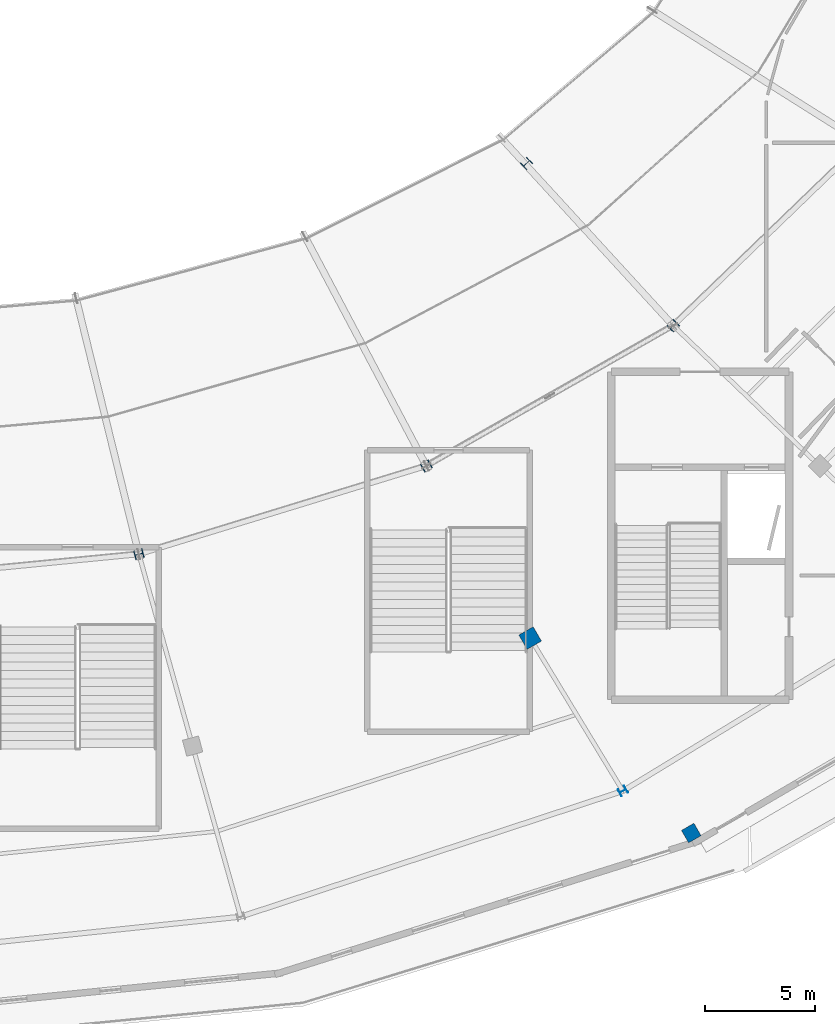
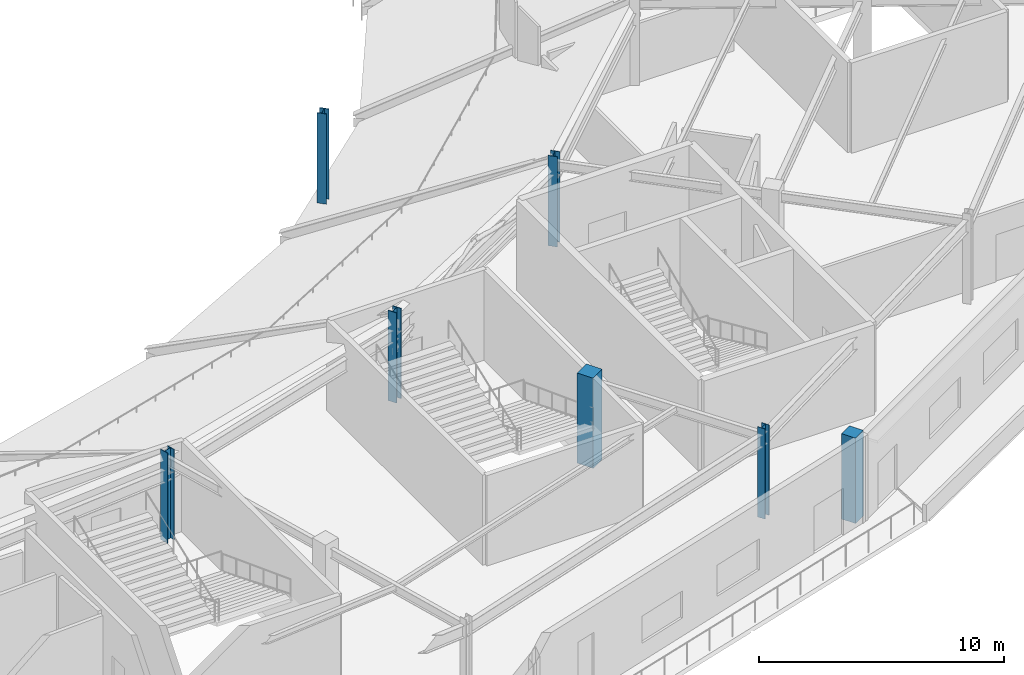
# One storey, part 5 of 63: 7 columns.
"""IFC4 building model written with IfcOpenShell, lengths in metres."""

import ifcopenshell
import ifcopenshell.guid

model = None  # the IFC model being written
_history = None  # IfcOwnerHistory: only IFC2X3 demands one
_inside = {}  # id of a spatial element -> (the spatial element, [elements in it])
_under = {}  # id of a project, library or spatial element -> (it, [spatial elements below it])
_declared = {}  # id of a project -> (the project, [libraries it declares])
_typed = {}  # id of a type object -> (the type object, [elements of that type])
_made_of = {}  # id of a material, layer set ... -> (it, [elements and type objects made of it])


def new_model(schema):
    """Start an empty IFC model of exactly this schema.

    Asked for "IFC4X3", IfcOpenShell would pick the latest addendum, in which some entities
    have other attributes; the version numbers below select the first issue.
    IFC2X3 requires an IfcOwnerHistory on every rooted entity: one is made here for all.
    """
    global model, _history
    if schema == "IFC4X3":
        model = ifcopenshell.file(schema_version=(4, 3, 0, 0))
    else:
        model = ifcopenshell.file(schema=schema)
    _inside.clear()
    _under.clear()
    _declared.clear()
    _typed.clear()
    _made_of.clear()
    _history = None
    if model.schema == "IFC2X3":
        org = make("IfcOrganization", Name="unknown")
        user = make(
            "IfcPersonAndOrganization",
            ThePerson=make("IfcPerson", FamilyName="unknown"),
            TheOrganization=org,
        )
        app = make(
            "IfcApplication",
            ApplicationDeveloper=org,
            Version="unknown",
            ApplicationFullName="unknown",
            ApplicationIdentifier="unknown",
        )
        _history = make(
            "IfcOwnerHistory",
            OwningUser=user,
            OwningApplication=app,
            ChangeAction="ADDED",
            CreationDate=0,
        )
    return model


def make(cls, **values):
    """One entity of the class cls with the attributes given. An attribute that is None is left unset."""
    return model.create_entity(
        cls, **{name: value for name, value in values.items() if value is not None}
    )


def rooted(cls, **values):
    """An entity with a GlobalId (a new one), such as an element, a storey or a relation."""
    return make(cls, GlobalId=ifcopenshell.guid.new(), OwnerHistory=_history, **values)


def si_unit(unit_type, name, prefix=None):
    """IfcSIUnit, for example si_unit("LENGTHUNIT", "METRE", prefix="MILLI")."""
    return make("IfcSIUnit", UnitType=unit_type, Prefix=prefix, Name=name)


def assignment(units):
    """IfcUnitAssignment: the units of a project."""
    return None if units is None else make("IfcUnitAssignment", Units=units)


def point(xyz):
    """IfcCartesianPoint."""
    return None if xyz is None else make("IfcCartesianPoint", Coordinates=xyz)


def direction(xyz):
    """IfcDirection."""
    return None if xyz is None else make("IfcDirection", DirectionRatios=xyz)


def frame(location, z_axis=None, x_axis=None):
    """IfcAxis2Placement3D, a coordinate frame: its origin and axes. An axis left out is left unset."""
    return make(
        "IfcAxis2Placement3D",
        Location=point(location),
        Axis=direction(z_axis),
        RefDirection=direction(x_axis),
    )


def frame_2d(location, x_axis=None):
    """IfcAxis2Placement2D, a coordinate frame in the plane: its origin and x axis."""
    return make(
        "IfcAxis2Placement2D", Location=point(location), RefDirection=direction(x_axis)
    )


def origin():
    """The frame at (0, 0, 0) with its axes left unset."""
    return frame((0.0, 0.0, 0.0))


def origin_2d():
    """The frame at (0, 0) in the plane with its x axis left unset."""
    return frame_2d((0.0, 0.0))


def place(relative_to, where):
    """IfcLocalPlacement: puts the frame where relative to a parent placement (None: the world)."""
    return make(
        "IfcLocalPlacement", PlacementRelTo=relative_to, RelativePlacement=where
    )


def context(
    kind, dimensions, precision=None, world=None, true_north=None, identifier=None
):
    """IfcGeometricRepresentationContext, for example the 3D "Model" context."""
    return make(
        "IfcGeometricRepresentationContext",
        ContextIdentifier=identifier,
        ContextType=kind,
        CoordinateSpaceDimension=dimensions,
        Precision=precision,
        WorldCoordinateSystem=world,
        TrueNorth=true_north,
    )


def subcontext(parent, identifier, kind, view, scale=None):
    """IfcGeometricRepresentationSubContext, for example "Body" below "Model"."""
    return make(
        "IfcGeometricRepresentationSubContext",
        ContextIdentifier=identifier,
        ContextType=kind,
        ParentContext=parent,
        TargetScale=scale,
        TargetView=view,
    )


def project(units=None, contexts=None):
    """IfcProject with its units and contexts."""
    return rooted(
        "IfcProject",
        Name="project",
        RepresentationContexts=contexts,
        UnitsInContext=assignment(units),
    )


def spatial(cls, under=None, at=None, **own):
    """A site, building, storey or space (cls), placed at a placement, below another one or the project."""
    s = rooted(cls, ObjectPlacement=at, **own)
    if under is not None:
        _under.setdefault(under.id(), (under, []))[1].append(s)
    return s


def profile(cls, at=None, kind="AREA", **sizes):
    """A parametric profile (cls). Its sizes go by their IFC names, for example OverallWidth=200.0."""
    return make(cls, ProfileType=kind, Position=at, **sizes)


def rectangle(**sizes):
    """IfcRectangleProfileDef."""
    return profile("IfcRectangleProfileDef", **sizes)


def i_section(**sizes):
    """IfcIShapeProfileDef."""
    return profile("IfcIShapeProfileDef", **sizes)


def extrude(swept, where, along, depth):
    """IfcExtrudedAreaSolid: the profile swept, set in the frame where, extruded along a direction by depth."""
    return make(
        "IfcExtrudedAreaSolid",
        SweptArea=swept,
        Position=where,
        ExtrudedDirection=direction(along),
        Depth=depth,
    )


def shape(context_of_items, identifier, shape_type, items):
    """IfcShapeRepresentation: the items that make up one representation, for example the "Body"."""
    return make(
        "IfcShapeRepresentation",
        ContextOfItems=context_of_items,
        RepresentationIdentifier=identifier,
        RepresentationType=shape_type,
        Items=items,
    )


def material(Name=None, Category=None):
    """IfcMaterial."""
    return make("IfcMaterial", Name=Name, Category=Category)


def material_profile(
    of_material, cross_section, Name=None, Category=None, Priority=None
):
    """IfcMaterialProfile: a cross section and its material."""
    return make(
        "IfcMaterialProfile",
        Name=Name,
        Material=of_material,
        Profile=cross_section,
        Priority=Priority,
        Category=Category,
    )


def profile_set(profiles, Name=None, composite=None):
    """IfcMaterialProfileSet."""
    return make(
        "IfcMaterialProfileSet",
        Name=Name,
        MaterialProfiles=profiles,
        CompositeProfile=composite,
    )


def made_of(thing, what):
    """Note that an element or type object is made of a material, layer set ...; save() writes the relation."""
    if what is not None:
        _made_of.setdefault(what.id(), (what, []))[1].append(thing)
    return thing


def type_object(cls, material=None, **own):
    """A type object (cls), such as IfcWallType, which elements share."""
    return made_of(rooted(cls, **own), material)


def element(
    cls,
    number,
    at=None,
    inside=None,
    cuts=None,
    type_object=None,
    material=None,
    context=None,
    identifier="Body",
    shape_type=None,
    held_by="IfcProductDefinitionShape",
    body=None,
    shapes=None,
    **own,
):
    """One element of the class cls, such as IfcWall. Its Tag is "e" and its number.

    at: its placement. inside: the storey or other place that contains it. cuts: it is an
    opening in that element (IfcRelVoidsElement). A single representation is given by context,
    identifier, shape_type and body (its items); several are given by shapes. held_by: the class
    of the entity that holds the representations. save() writes the other relations.
    """
    e = rooted(cls, Tag="e%d" % number, ObjectPlacement=at, **own)
    if body is not None:
        shapes = [shape(context, identifier, shape_type, body)]
    if shapes is not None:
        e.Representation = make(held_by, Representations=shapes)
    if inside is not None:
        _inside.setdefault(inside.id(), (inside, []))[1].append(e)
    if cuts is not None:
        rooted(
            "IfcRelVoidsElement", RelatingBuildingElement=cuts, RelatedOpeningElement=e
        )
    if type_object is not None:
        _typed.setdefault(type_object.id(), (type_object, []))[1].append(e)
    return made_of(e, material)


def aggregate(whole, parts):
    """IfcRelAggregates: a whole, such as a stair, and the parts it consists of."""
    return rooted("IfcRelAggregates", RelatingObject=whole, RelatedObjects=parts)


def save(model, path):
    """Write the relations noted so far, then the file.

    IfcRelAggregates (storeys below a building ...), IfcRelContainedInSpatialStructure (elements
    in a storey), IfcRelDefinesByType, IfcRelAssociatesMaterial and IfcRelDeclares: one each for
    every whole, place, type object, material and project.
    """
    for whole, parts in _under.values():
        aggregate(whole, parts)
    for where, things in _inside.values():
        rooted(
            "IfcRelContainedInSpatialStructure",
            RelatedElements=things,
            RelatingStructure=where,
        )
    for kind, things in _typed.values():
        rooted("IfcRelDefinesByType", RelatedObjects=things, RelatingType=kind)
    for what, things in _made_of.values():
        rooted("IfcRelAssociatesMaterial", RelatedObjects=things, RelatingMaterial=what)
    for by, libraries in _declared.values():
        rooted("IfcRelDeclares", RelatingContext=by, RelatedDefinitions=libraries)
    model.write(path)


model = new_model("IFC4")

# Units and contexts
model_context = context("Model", 3, precision=1e-05, world=origin(), true_north=direction((0.0, 1.0)))
body_context = subcontext(model_context, "Body", "Model", "MODEL_VIEW")
ifc_project = project(units=[si_unit("LENGTHUNIT", "METRE"), si_unit("AREAUNIT", "SQUARE_METRE"), si_unit("VOLUMEUNIT", "CUBIC_METRE"), si_unit("PLANEANGLEUNIT", "RADIAN"), si_unit("MASSUNIT", "GRAM", prefix="KILO")], contexts=[model_context])

# Site, building, storey
site_placement = place(None, origin())
site = spatial("IfcSite", under=ifc_project, at=site_placement, CompositionType="ELEMENT")
building_placement = place(site_placement, origin())
building = spatial("IfcBuilding", under=site, at=building_placement, Name="Kalgoora Escarpment Arena", CompositionType="ELEMENT")
storey_placement = place(building_placement, frame((0.0, 0.0, 14.39990234375)))
storey = spatial("IfcBuildingStorey", under=building, at=storey_placement, Name="L03", CompositionType="ELEMENT", Elevation=14.39990234375)

# Columns
ifc_material_1 = material(Name="Structural steel Grade 350 (350 MPa)", Category="steel")
ifc_material_profile_1 = material_profile(ifc_material_1, i_section(OverallWidth=0.35009765625, OverallDepth=0.35009765625, WebThickness=0.013916015625, FlangeThickness=0.02392578125, at=origin_2d()))
ifc_profile_set_1 = profile_set([ifc_material_profile_1], Name="Structural steel Grade 350 (350 MPa)")
column_type_1 = type_object("IfcColumnType", Name="COL-COL-350WC197", PredefinedType="COLUMN", material=ifc_profile_set_1)
column_1_placement = place(storey_placement, frame((128.300048828125, 14.63671875, 0.0), z_axis=(0.0, 0.0, 1.0), x_axis=(0.5, -0.866025403784, 0.0)))
element("IfcColumn", 1, at=column_1_placement, inside=storey, type_object=column_type_1, Name="L03 structural column COL-RCONC2-R21", PredefinedType="COLUMN", context=body_context, shape_type="SweptSolid", body=[
    extrude(i_section(OverallWidth=0.35009765625, OverallDepth=0.35009765625, WebThickness=0.013916015625, FlangeThickness=0.02392578125, at=origin_2d()), origin(), (0.0, 0.0, 1.0), 4.5),
])
ifc_material_2 = material(Name="Structural steel Grade 350 (350 MPa)", Category="steel")
ifc_material_profile_2 = material_profile(ifc_material_2, i_section(OverallWidth=0.39990234375, OverallDepth=0.39990234375, WebThickness=0.01611328125, FlangeThickness=0.028076171875, at=origin_2d()))
ifc_profile_set_2 = profile_set([ifc_material_profile_2], Name="Structural steel Grade 350 (350 MPa)")
column_type_2 = type_object("IfcColumnType", Name="COL-COL-400WC212", PredefinedType="COLUMN", material=ifc_profile_set_2)
for number, where, z_axis, x_axis, name in (
    (2, (106.376220703125, 25.363037109375, 0.0), (0.0, 0.0, 1.0), (0.258819045103, -0.965925826289, 0.0), "L03 structural column COL-RMAIN-R20"),
    (3, (119.39990234375, 29.35888671875, 0.0), (0.0, 0.0, 1.0), (0.5, -0.866025403784, 0.0), "L03 structural column COL-RMAIN-R21"),
    (4, (130.583740234375, 35.7158203125, 0.0), (0.0, 0.0, 1.0), (0.707106781187, -0.707106781187, 0.0), "L03 structural column COL-RMAIN-R22"),
    (5, (123.93701171875, 43.069580078125, 0.0), (0.0, 0.0, 1.0), (0.707106781187, -0.707106781187, 0.0), "L03 structural column COL-TSPINE-S08"),
):
    element("IfcColumn", number, at=place(storey_placement, frame(where, z_axis=z_axis, x_axis=x_axis)), inside=storey, type_object=column_type_2, Name=name, PredefinedType="COLUMN", context=body_context, shape_type="SweptSolid", body=[
        extrude(i_section(OverallWidth=0.39990234375, OverallDepth=0.39990234375, WebThickness=0.01611328125, FlangeThickness=0.028076171875, at=origin_2d()), origin(), (0.0, 0.0, 1.0), 4.5),
    ])
ifc_material_3 = material(Name="Concrete N50 (fc' 50 MPa)", Category="concrete")
ifc_material_profile_3 = material_profile(ifc_material_3, rectangle(XDim=0.64990234375, YDim=0.64990234375, at=origin_2d()))
ifc_profile_set_3 = profile_set([ifc_material_profile_3], Name="Concrete N50 (fc' 50 MPa)")
column_type_3 = type_object("IfcColumnType", Name="COL-COL-RC650x650", PredefinedType="COLUMN", material=ifc_profile_set_3)
column_2_placement = place(storey_placement, frame((131.39990234375, 12.731201171875, 0.0), z_axis=(0.0, 0.0, 1.0), x_axis=(0.5, -0.866025403784, 0.0)))
element("IfcColumn", 6, at=column_2_placement, inside=storey, type_object=column_type_3, Name="L03 structural column COL-RBASE1-R21", PredefinedType="COLUMN", context=body_context, shape_type="SweptSolid", body=[
    extrude(rectangle(XDim=0.64990234375, YDim=0.64990234375, at=origin_2d()), origin(), (0.0, 0.0, 1.0), 4.260009765625),
])
ifc_material_4 = material(Name="Concrete N50 (fc' 50 MPa)", Category="concrete")
ifc_material_profile_4 = material_profile(ifc_material_4, rectangle(XDim=0.75, YDim=0.75, at=origin_2d()))
ifc_profile_set_4 = profile_set([ifc_material_profile_4], Name="Concrete N50 (fc' 50 MPa)")
column_type_4 = type_object("IfcColumnType", Name="COL-COL-RC750x750", PredefinedType="COLUMN", material=ifc_profile_set_4)
column_3_placement = place(storey_placement, frame((124.10009765625, 21.564697265625, 0.0), z_axis=(0.0, 0.0, 1.0), x_axis=(0.5, -0.866025403784, 0.0)))
element("IfcColumn", 7, at=column_3_placement, inside=storey, type_object=column_type_4, Name="L03 structural column COL-RCONC1-R21", PredefinedType="COLUMN", context=body_context, shape_type="SweptSolid", body=[
    extrude(rectangle(XDim=0.75, YDim=0.75, at=origin_2d()), origin(), (0.0, 0.0, 1.0), 4.5),
])

save(model, "model.ifc")
